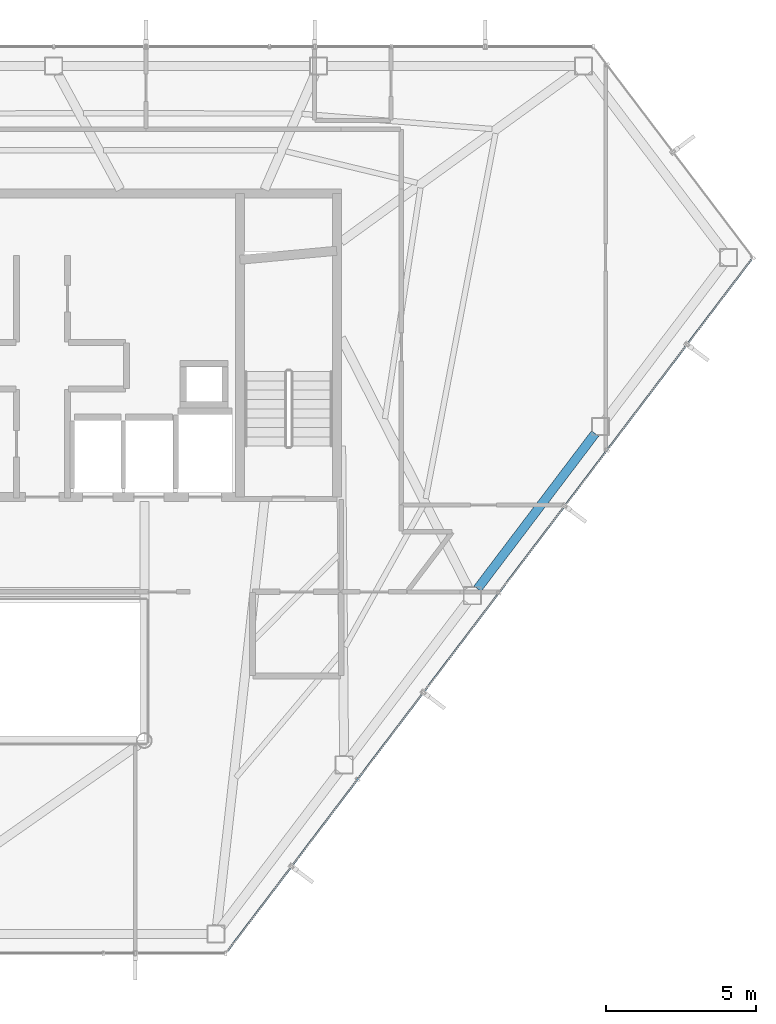
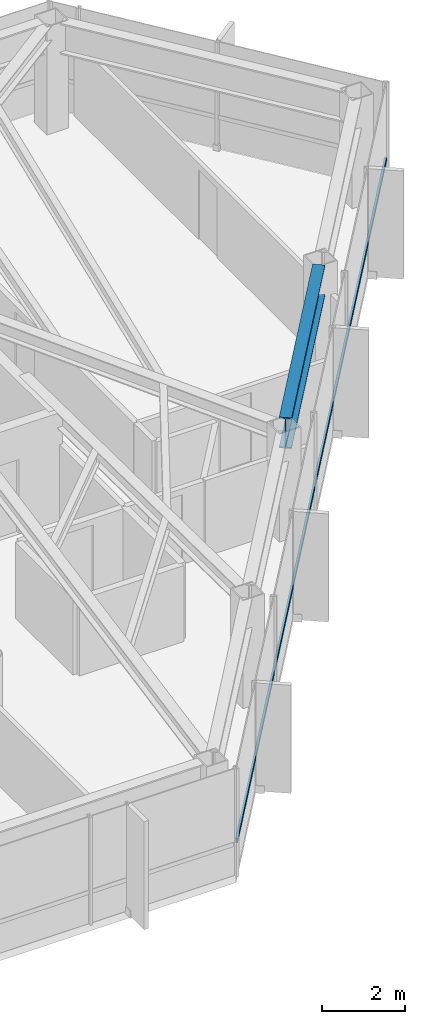
# One storey, part 18 of 28: 1 beam, 1 member, 1 element without a shape of its own.
"""IFC4 building model written with IfcOpenShell, lengths in metres."""

from ifc_helpers import new_model, si_unit, direction, frame, origin, origin_2d, place, context, subcontext, project, spatial, hollow_rectangle, i_section, extrude, material, layer, layer_set, material_profile, profile_set, type_object, element, aggregate, save


model = new_model("IFC4")

# Units and contexts
model_context = context("Model", 3, precision=1e-05, world=origin(), true_north=direction((0.0, 1.0)))
body_context = subcontext(model_context, "Body", "Model", "MODEL_VIEW")
ifc_project = project(units=[si_unit("LENGTHUNIT", "METRE"), si_unit("AREAUNIT", "SQUARE_METRE"), si_unit("VOLUMEUNIT", "CUBIC_METRE"), si_unit("PLANEANGLEUNIT", "RADIAN"), si_unit("MASSUNIT", "GRAM", prefix="KILO")], contexts=[model_context])

# Site, building, storey
site_placement = place(None, origin())
site = spatial("IfcSite", under=ifc_project, at=site_placement, CompositionType="ELEMENT")
building_placement = place(site_placement, origin())
building = spatial("IfcBuilding", under=site, at=building_placement, Name="Zarrinselat Tower", CompositionType="ELEMENT")
storey_placement = place(building_placement, frame((0.0, 0.0, 218.9599609375)))
storey = spatial("IfcBuildingStorey", under=building, at=storey_placement, Name="L54", CompositionType="ELEMENT", Elevation=218.9599609375)

# Beam
ifc_material_1 = material(Name="Steel S460M", Category="steel")
ifc_material_profile_1 = material_profile(ifc_material_1, i_section(OverallWidth=0.302001953125, OverallDepth=0.909912109375, WebThickness=0.02099609375, FlangeThickness=0.0400390625, at=origin_2d()), Name="HEM 900")
ifc_profile_set_1 = profile_set([ifc_material_profile_1], Name="Steel S460M")
beam_type = type_object("IfcBeamType", Name="BM-HEM900", PredefinedType="BEAM", material=ifc_profile_set_1)
beam_placement = place(storey_placement, frame((52.8876953125, 30.25146484375, 2.72509765625), z_axis=(0.603854788162, 0.797094344989, 0.0), x_axis=(-0.797094344989, 0.603854788162, 0.0)))
element("IfcBeam", 1, at=beam_placement, inside=storey, type_object=beam_type, Name="L54 Perimeter Spandrel Girder SP13", PredefinedType="BEAM", context=body_context, shape_type="SweptSolid", body=[
    extrude(i_section(OverallWidth=0.302001953125, OverallDepth=0.909912109375, WebThickness=0.02099609375, FlangeThickness=0.0400390625, at=origin_2d()), origin(), (0.0, 0.0, 1.0), 6.48388671875),
])

# Curtain wall, member
ifc_material_2 = material(Name="Extruded Aluminium Alloy EN AW-6063 T6", Category="aluminium")
ifc_layer = layer(ifc_material_2, 0.169921875)
ifc_layer_set = layer_set([ifc_layer], Name="Extruded Aluminium Alloy EN AW-6063 T6")
curtain_wall_type = type_object("IfcCurtainWallType", Name="CWS-RES", PredefinedType="NOTDEFINED", material=ifc_layer_set)
curtain_wall_placement = place(storey_placement, origin())
curtain_wall = element("IfcCurtainWall", 2, at=curtain_wall_placement, inside=storey, type_object=curtain_wall_type, Name="L54 Unitised Curtain Wall CW-L54-E05", PredefinedType="NOTDEFINED")
ifc_material_3 = material(Name="Extruded Aluminium Alloy EN AW-6063 T6", Category="aluminium")
ifc_material_profile_2 = material_profile(ifc_material_3, hollow_rectangle(XDim=0.06005859375, YDim=0.1201171875, WallThickness=0.00390625, at=origin_2d()), Name="RHS 120x60x4")
ifc_profile_set_2 = profile_set([ifc_material_profile_2], Name="Extruded Aluminium Alloy EN AW-6063 T6")
member_type = type_object("IfcMemberType", Name="MEM-CW-TRN2", PredefinedType="USERDEFINED", material=ifc_profile_set_2)
member_placement = place(storey_placement, frame((44.564453125, 18.1884765625, 0.949951171875), z_axis=(0.603861920342, 0.797088941813, 0.0), x_axis=(-0.797088941813, 0.603861920342, 0.0)))
member = element("IfcMember", 3, at=member_placement, type_object=member_type, Name="CW-L54-E05 Transom 1", ObjectType="TRANSOM", PredefinedType="USERDEFINED", context=body_context, shape_type="SweptSolid", body=[
    extrude(hollow_rectangle(XDim=0.06005859375, YDim=0.1201171875, WallThickness=0.00390625, at=origin_2d()), origin(), (0.0, 0.0, 1.0), 28.875732421875),
])
aggregate(curtain_wall, [member])

save(model, "model.ifc")
